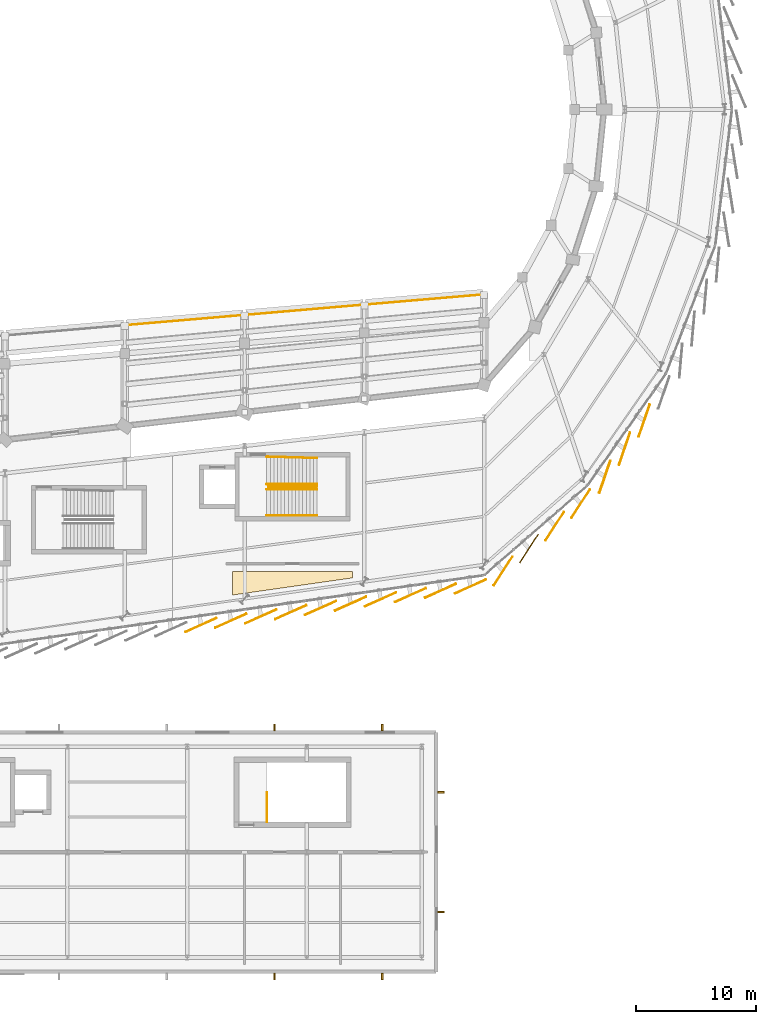
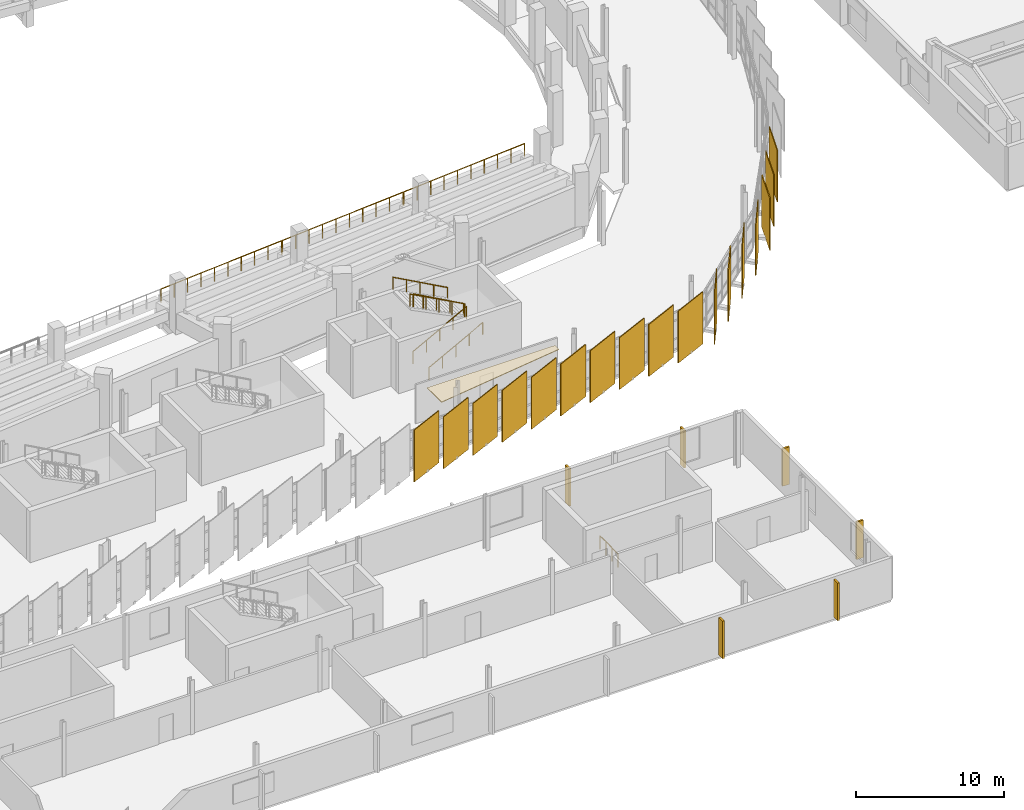
# One storey, part 116 of 120: 18 coverings, 9 railings, 6 shading devices.
"""IFC4 building model written with IfcOpenShell, lengths in metres."""

from ifc_helpers import new_model, si_unit, direction, frame, origin, origin_2d, place, context, subcontext, project, spatial, polyline, rectangle, circle, outline, extrude, material, layer, layer_set, type_object, element, save


model = new_model("IFC4")

# Units and contexts
model_context = context("Model", 3, precision=1e-05, world=origin(), true_north=direction((0.0, 1.0)))
body_context = subcontext(model_context, "Body", "Model", "MODEL_VIEW")
ifc_project = project(units=[si_unit("LENGTHUNIT", "METRE"), si_unit("AREAUNIT", "SQUARE_METRE"), si_unit("VOLUMEUNIT", "CUBIC_METRE"), si_unit("PLANEANGLEUNIT", "RADIAN"), si_unit("MASSUNIT", "GRAM", prefix="KILO")], contexts=[model_context])

# Site, building, storey
site_placement = place(None, origin())
site = spatial("IfcSite", under=ifc_project, at=site_placement, CompositionType="ELEMENT")
building_placement = place(site_placement, origin())
building = spatial("IfcBuilding", under=site, at=building_placement, Name="Sohan Crest Arena", CompositionType="ELEMENT")
storey_placement = place(building_placement, frame((0.0, 0.0, 13.5)))
storey = spatial("IfcBuildingStorey", under=building, at=storey_placement, Name="L03", CompositionType="ELEMENT", Elevation=13.5)

# Railings
ifc_material_1 = material(Name="Powder-coated wrought steel balustrade", Category="steel")
railing_type_1 = type_object("IfcRailingType", Name="ARC-GRD-01", PredefinedType="GUARDRAIL", material=ifc_material_1)
railing_1_placement = place(storey_placement, frame((154.030029296875, 46.5, 2.25)))
element("IfcRailing", 1, at=railing_1_placement, inside=storey, type_object=railing_type_1, Name="Stair well slot guard GRD-054", PredefinedType="GUARDRAIL", context=body_context, shape_type="SweptSolid", body=[
    extrude(circle(Radius=0.02392578125, at=origin_2d()), frame((0.0, 0.0, 1.076171875), z_axis=(-0.87313487534, 0.0, 0.487478706678), x_axis=(0.0, -1.0, 0.0)), (0.0, 0.0, 1.0), 4.615478515625),
    extrude(circle(Radius=0.02099609375, at=origin_2d()), origin(), (0.0, 0.0, 1.0), 1.052001953125),
    extrude(circle(Radius=0.02099609375, at=origin_2d()), frame((-1.007568359375, 0.0, 0.5625)), (0.0, 0.0, 1.0), 1.052001953125),
    extrude(circle(Radius=0.02099609375, at=origin_2d()), frame((-2.01513671875, 0.0, 1.125)), (0.0, 0.0, 1.0), 1.052001953125),
    extrude(circle(Radius=0.02099609375, at=origin_2d()), frame((-3.0224609375, 0.0, 1.6875)), (0.0, 0.0, 1.0), 1.052001953125),
    extrude(circle(Radius=0.02099609375, at=origin_2d()), frame((-4.030029296875, 0.0, 2.25)), (0.0, 0.0, 1.0), 1.052001953125),
])
railing_2_placement = place(storey_placement, frame((149.8701171875, 18.52001953125, 0.0)))
element("IfcRailing", 2, at=railing_2_placement, inside=storey, type_object=railing_type_1, Name="Top stair landing well guard GRD-065", PredefinedType="GUARDRAIL", context=body_context, shape_type="SweptSolid", body=[
    extrude(circle(Radius=0.02392578125, at=origin_2d()), frame((0.0, 0.0, 1.076171875), z_axis=(0.0, 1.0, 0.0), x_axis=(-1.0, 0.0, 0.0)), (0.0, 0.0, 1.0), 2.4599609375),
    extrude(circle(Radius=0.02099609375, at=origin_2d()), origin(), (0.0, 0.0, 1.0), 1.052001953125),
    extrude(circle(Radius=0.02099609375, at=origin_2d()), frame((0.0, 0.820068359375, 0.0)), (0.0, 0.0, 1.0), 1.052001953125),
    extrude(circle(Radius=0.02099609375, at=origin_2d()), frame((0.0, 1.639892578125, 0.0)), (0.0, 0.0, 1.0), 1.052001953125),
    extrude(circle(Radius=0.02099609375, at=origin_2d()), frame((0.0, 2.4599609375, 0.0)), (0.0, 0.0, 1.0), 1.052001953125),
])
ifc_material_2 = material(Name="Laminated glass and steel sightline guard", Category="steel")
railing_type_2 = type_object("IfcRailingType", Name="ARC-GRD-02", PredefinedType="GUARDRAIL", material=ifc_material_2)
railing_3_placement = place(storey_placement, frame((138.0400390625, 59.98193359375, 0.85009765625)))
element("IfcRailing", 3, at=railing_3_placement, inside=storey, type_object=railing_type_2, Name="Upper tier cantilevered sightline guard GRD-173", PredefinedType="GUARDRAIL", context=body_context, shape_type="SweptSolid", body=[
    extrude(circle(Radius=0.02392578125, at=origin_2d()), frame((0.0, 0.0, 1.1259765625), z_axis=(0.996339849936, 0.085480427173, 0.0), x_axis=(-0.085480427173, 0.996339849936, 0.0)), (0.0, 0.0, 1.0), 9.956298828125),
    extrude(circle(Radius=0.02099609375, at=origin_2d()), origin(), (0.0, 0.0, 1.0), 1.101806640625),
    extrude(circle(Radius=0.02099609375, at=origin_2d()), frame((1.102294921875, 0.094482421875, 0.0)), (0.0, 0.0, 1.0), 1.101806640625),
    extrude(circle(Radius=0.02099609375, at=origin_2d()), frame((2.204345703125, 0.189208984375, 0.0)), (0.0, 0.0, 1.0), 1.101806640625),
    extrude(circle(Radius=0.02099609375, at=origin_2d()), frame((3.306640625, 0.28369140625, 0.0)), (0.0, 0.0, 1.0), 1.101806640625),
    extrude(circle(Radius=0.02099609375, at=origin_2d()), frame((4.408935546875, 0.378173828125, 0.0)), (0.0, 0.0, 1.0), 1.101806640625),
    extrude(circle(Radius=0.02099609375, at=origin_2d()), frame((5.510986328125, 0.472900390625, 0.0)), (0.0, 0.0, 1.0), 1.101806640625),
    extrude(circle(Radius=0.02099609375, at=origin_2d()), frame((6.61328125, 0.5673828125, 0.0)), (0.0, 0.0, 1.0), 1.101806640625),
    extrude(circle(Radius=0.02099609375, at=origin_2d()), frame((7.715576171875, 0.661865234375, 0.0)), (0.0, 0.0, 1.0), 1.101806640625),
    extrude(circle(Radius=0.02099609375, at=origin_2d()), frame((8.817626953125, 0.756591796875, 0.0)), (0.0, 0.0, 1.0), 1.101806640625),
    extrude(circle(Radius=0.02099609375, at=origin_2d()), frame((9.919921875, 0.85107421875, 0.0)), (0.0, 0.0, 1.0), 1.101806640625),
])
railing_4_placement = place(storey_placement, frame((148.0400390625, 60.839111328125, 0.85009765625)))
element("IfcRailing", 4, at=railing_4_placement, inside=storey, type_object=railing_type_2, Name="Upper tier cantilevered sightline guard GRD-174", PredefinedType="GUARDRAIL", context=body_context, shape_type="SweptSolid", body=[
    extrude(circle(Radius=0.02392578125, at=origin_2d()), frame((0.0, 0.0, 1.1259765625), z_axis=(0.996341938042, 0.085456085206, 0.0), x_axis=(-0.085456085206, 0.996341938042, 0.0)), (0.0, 0.0, 1.0), 9.956298828125),
    extrude(circle(Radius=0.02099609375, at=origin_2d()), origin(), (0.0, 0.0, 1.0), 1.101806640625),
    extrude(circle(Radius=0.02099609375, at=origin_2d()), frame((1.102294921875, 0.094482421875, 0.0)), (0.0, 0.0, 1.0), 1.101806640625),
    extrude(circle(Radius=0.02099609375, at=origin_2d()), frame((2.204345703125, 0.18896484375, 0.0)), (0.0, 0.0, 1.0), 1.101806640625),
    extrude(circle(Radius=0.02099609375, at=origin_2d()), frame((3.306640625, 0.28369140625, 0.0)), (0.0, 0.0, 1.0), 1.101806640625),
    extrude(circle(Radius=0.02099609375, at=origin_2d()), frame((4.408935546875, 0.378173828125, 0.0)), (0.0, 0.0, 1.0), 1.101806640625),
    extrude(circle(Radius=0.02099609375, at=origin_2d()), frame((5.510986328125, 0.47265625, 0.0)), (0.0, 0.0, 1.0), 1.101806640625),
    extrude(circle(Radius=0.02099609375, at=origin_2d()), frame((6.61328125, 0.567138671875, 0.0)), (0.0, 0.0, 1.0), 1.101806640625),
    extrude(circle(Radius=0.02099609375, at=origin_2d()), frame((7.715576171875, 0.661865234375, 0.0)), (0.0, 0.0, 1.0), 1.101806640625),
    extrude(circle(Radius=0.02099609375, at=origin_2d()), frame((8.817626953125, 0.75634765625, 0.0)), (0.0, 0.0, 1.0), 1.101806640625),
    extrude(circle(Radius=0.02099609375, at=origin_2d()), frame((9.919921875, 0.850830078125, 0.0)), (0.0, 0.0, 1.0), 1.101806640625),
])
railing_5_placement = place(storey_placement, frame((158.0400390625, 61.696044921875, 0.85009765625)))
element("IfcRailing", 5, at=railing_5_placement, inside=storey, type_object=railing_type_2, Name="Upper tier cantilevered sightline guard GRD-175", PredefinedType="GUARDRAIL", context=body_context, shape_type="SweptSolid", body=[
    extrude(circle(Radius=0.02392578125, at=origin_2d()), frame((0.0, 0.0, 1.1259765625), z_axis=(0.996339849936, 0.085480427173, 0.0), x_axis=(-0.085480427173, 0.996339849936, 0.0)), (0.0, 0.0, 1.0), 9.956298828125),
    extrude(circle(Radius=0.02099609375, at=origin_2d()), origin(), (0.0, 0.0, 1.0), 1.101806640625),
    extrude(circle(Radius=0.02099609375, at=origin_2d()), frame((1.102294921875, 0.094482421875, 0.0)), (0.0, 0.0, 1.0), 1.101806640625),
    extrude(circle(Radius=0.02099609375, at=origin_2d()), frame((2.204345703125, 0.189208984375, 0.0)), (0.0, 0.0, 1.0), 1.101806640625),
    extrude(circle(Radius=0.02099609375, at=origin_2d()), frame((3.306640625, 0.28369140625, 0.0)), (0.0, 0.0, 1.0), 1.101806640625),
    extrude(circle(Radius=0.02099609375, at=origin_2d()), frame((4.408935546875, 0.378173828125, 0.0)), (0.0, 0.0, 1.0), 1.101806640625),
    extrude(circle(Radius=0.02099609375, at=origin_2d()), frame((5.510986328125, 0.472900390625, 0.0)), (0.0, 0.0, 1.0), 1.101806640625),
    extrude(circle(Radius=0.02099609375, at=origin_2d()), frame((6.61328125, 0.5673828125, 0.0)), (0.0, 0.0, 1.0), 1.101806640625),
    extrude(circle(Radius=0.02099609375, at=origin_2d()), frame((7.715576171875, 0.661865234375, 0.0)), (0.0, 0.0, 1.0), 1.101806640625),
    extrude(circle(Radius=0.02099609375, at=origin_2d()), frame((8.817626953125, 0.756591796875, 0.0)), (0.0, 0.0, 1.0), 1.101806640625),
    extrude(circle(Radius=0.02099609375, at=origin_2d()), frame((9.919921875, 0.85107421875, 0.0)), (0.0, 0.0, 1.0), 1.101806640625),
])
ifc_material_3 = material(Name="Brushed stainless steel stair handrail", Category="steel")
railing_type_3 = type_object("IfcRailingType", Name="ARC-HR-01", PredefinedType="HANDRAIL", material=ifc_material_3)
for number, where, name in (
    (6, (149.85009765625, 44.110107421875, 0.0), "Stair pitch handrail HR-181"),
    (7, (149.85009765625, 46.2900390625, 0.0), "Stair pitch handrail HR-182"),
):
    element("IfcRailing", number, at=place(storey_placement, frame(where)), inside=storey, type_object=railing_type_3, Name=name, PredefinedType="HANDRAIL", context=body_context, shape_type="SweptSolid", body=[
        extrude(circle(Radius=0.02392578125, at=origin_2d()), frame((0.0, 0.0, 0.97607421875), z_axis=(0.881477684796, 0.0, 0.472225678258), x_axis=(0.0, 1.0, 0.0)), (0.0, 0.0, 1.0), 4.7646484375),
        extrude(circle(Radius=0.02099609375, at=origin_2d()), origin(), (0.0, 0.0, 1.0), 0.951904296875),
        extrude(circle(Radius=0.02099609375, at=origin_2d()), frame((1.050048828125, 0.0, 0.5625)), (0.0, 0.0, 1.0), 0.951904296875),
        extrude(circle(Radius=0.02099609375, at=origin_2d()), frame((2.10009765625, 0.0, 1.125)), (0.0, 0.0, 1.0), 0.951904296875),
        extrude(circle(Radius=0.02099609375, at=origin_2d()), frame((3.14990234375, 0.0, 1.6875)), (0.0, 0.0, 1.0), 0.951904296875),
        extrude(circle(Radius=0.02099609375, at=origin_2d()), frame((4.199951171875, 0.0, 2.25)), (0.0, 0.0, 1.0), 0.951904296875),
    ])
railing_6_placement = place(storey_placement, frame((154.050048828125, 46.7099609375, 2.25)))
element("IfcRailing", 8, at=railing_6_placement, inside=storey, type_object=railing_type_3, Name="Stair pitch handrail HR-183", PredefinedType="HANDRAIL", context=body_context, shape_type="SweptSolid", body=[
    extrude(circle(Radius=0.02392578125, at=origin_2d()), frame((0.0, 0.0, 0.97607421875), z_axis=(-0.881477684796, 0.0, 0.472225678258), x_axis=(0.0, -1.0, 0.0)), (0.0, 0.0, 1.0), 4.7646484375),
    extrude(circle(Radius=0.02099609375, at=origin_2d()), origin(), (0.0, 0.0, 1.0), 0.951904296875),
    extrude(circle(Radius=0.02099609375, at=origin_2d()), frame((-1.050048828125, 0.0, 0.5625)), (0.0, 0.0, 1.0), 0.951904296875),
    extrude(circle(Radius=0.02099609375, at=origin_2d()), frame((-2.10009765625, 0.0, 1.125)), (0.0, 0.0, 1.0), 0.951904296875),
    extrude(circle(Radius=0.02099609375, at=origin_2d()), frame((-3.14990234375, 0.0, 1.6875)), (0.0, 0.0, 1.0), 0.951904296875),
    extrude(circle(Radius=0.02099609375, at=origin_2d()), frame((-4.199951171875, 0.0, 2.25)), (0.0, 0.0, 1.0), 0.951904296875),
])
railing_7_placement = place(storey_placement, frame((154.050048828125, 48.889892578125, 2.25)))
element("IfcRailing", 9, at=railing_7_placement, inside=storey, type_object=railing_type_3, Name="Stair pitch handrail HR-184", PredefinedType="HANDRAIL", context=body_context, shape_type="SweptSolid", body=[
    extrude(circle(Radius=0.02392578125, at=origin_2d()), frame((0.0, 0.0, 0.97607421875), z_axis=(-0.881197710057, 0.025201957411, 0.472075690047), x_axis=(-0.028587973606, -0.999591280357, 0.0)), (0.0, 0.0, 1.0), 4.76611328125),
    extrude(circle(Radius=0.02099609375, at=origin_2d()), origin(), (0.0, 0.0, 1.0), 0.951904296875),
    extrude(circle(Radius=0.02099609375, at=origin_2d()), frame((-1.050048828125, 0.030029296875, 0.5625)), (0.0, 0.0, 1.0), 0.951904296875),
    extrude(circle(Radius=0.02099609375, at=origin_2d()), frame((-2.10009765625, 0.06005859375, 1.125)), (0.0, 0.0, 1.0), 0.951904296875),
    extrude(circle(Radius=0.02099609375, at=origin_2d()), frame((-3.14990234375, 0.090087890625, 1.6875)), (0.0, 0.0, 1.0), 0.951904296875),
    extrude(circle(Radius=0.02099609375, at=origin_2d()), frame((-4.199951171875, 0.1201171875, 2.25)), (0.0, 0.0, 1.0), 0.951904296875),
])

# Shading devices
ifc_material_4 = material(Name="Glazed terracotta ceramic solar fin", Category="masonry")
ifc_layer_1 = layer(ifc_material_4, 0.070068359375, Name="Glazed terracotta ceramic solar fin")
ifc_layer_set_1 = layer_set([ifc_layer_1], Name="Glazed terracotta ceramic solar fin")
shading_device_type = type_object("IfcShadingDeviceType", Name="ARC-SHD-FIN1", PredefinedType="USERDEFINED", material=ifc_layer_set_1)
for number, where, z_axis, x_axis, name in (
    (10, (150.5, 5.60009765625, 0.199951171875), (0.0, 0.0, 1.0), (1.0, 0.0, 0.0), "Catalan terracotta facade fin FIN-107"),
    (11, (159.5, 5.60009765625, 0.199951171875), (0.0, 0.0, 1.0), (1.0, 0.0, 0.0), "Catalan terracotta facade fin FIN-108"),
    (12, (164.39990234375, 11.0, 0.199951171875), (0.0, 0.0, 1.0), (0.0, 1.0, 0.0), "Catalan terracotta facade fin FIN-113"),
    (13, (164.39990234375, 21.0, 0.199951171875), (0.0, 0.0, 1.0), (0.0, 1.0, 0.0), "Catalan terracotta facade fin FIN-114"),
    (14, (159.5, 26.39990234375, 0.199951171875), (0.0, 0.0, 1.0), (-1.0, 0.0, 0.0), "Catalan terracotta facade fin FIN-115"),
    (15, (150.5, 26.39990234375, 0.199951171875), (0.0, 0.0, 1.0), (-1.0, 0.0, 0.0), "Catalan terracotta facade fin FIN-116"),
):
    element("IfcShadingDevice", number, at=place(storey_placement, frame(where, z_axis=z_axis, x_axis=x_axis)), inside=storey, type_object=shading_device_type, Name=name, ObjectType="FIN", PredefinedType="USERDEFINED", context=body_context, shape_type="SweptSolid", body=[
        extrude(rectangle(XDim=0.139892578125, YDim=0.550048828125, at=origin_2d()), origin(), (0.0, 0.0, 1.0), 3.10009765625),
    ])

# Coverings
ifc_material_5 = material(Name="Acoustic mineral-fibre ceiling tile")
ifc_layer_2 = layer(ifc_material_5, 0.044921875, Name="Acoustic mineral-fibre ceiling tile")
ifc_layer_set_2 = layer_set([ifc_layer_2], Name="Acoustic mineral-fibre ceiling tile")
covering_type_1 = type_object("IfcCoveringType", Name="COV-CL1", PredefinedType="CEILING", material=ifc_layer_set_2)
covering_placement = place(storey_placement, frame((0.0, 0.0, 3.10009765625)))
element("IfcCovering", 16, at=covering_placement, inside=storey, type_object=covering_type_1, Name="Suspended acoustic ceiling CL-004", PredefinedType="CEILING", context=body_context, shape_type="SweptSolid", body=[
    extrude(outline(polyline([(147.80908203125, 37.5791015625), (147.0, 37.464111328125), (147.0, 39.425048828125), (157.0, 39.425048828125), (157.0, 38.89208984375), (147.80908203125, 37.5791015625)])), origin(), (0.0, 0.0, 1.0), 0.0498046875),
])
ifc_material_6 = material(Name="Glazed ivory trencadis ceramic cladding", Category="masonry")
ifc_layer_3 = layer(ifc_material_6, 0.06494140625, Name="Glazed ivory trencadis ceramic cladding")
ifc_layer_set_3 = layer_set([ifc_layer_3], Name="Glazed ivory trencadis ceramic cladding")
covering_type_2 = type_object("IfcCoveringType", Name="COV-SC-IV", PredefinedType="CLADDING", material=ifc_layer_set_3)
for number, where, z_axis, x_axis, name in (
    (17, (144.35791015625, 34.955078125, -0.2001953125), (0.0, 0.0, 1.0), (0.912834177233, 0.408330460381, 0.0), "Rotated trencadis ceramic scale panel SC-0329"),
    (18, (146.85791015625, 35.31201171875, -0.2001953125), (0.0, 0.0, 1.0), (0.912834177233, 0.408330460381, 0.0), "Rotated trencadis ceramic scale panel SC-0330"),
    (19, (149.35693359375, 35.6689453125, -0.2001953125), (0.0, 0.0, 1.0), (0.912834177233, 0.408330460381, 0.0), "Rotated trencadis ceramic scale panel SC-0331"),
    (20, (151.85693359375, 36.02587890625, -0.2001953125), (0.0, 0.0, 1.0), (0.912834177233, 0.408330460381, 0.0), "Rotated trencadis ceramic scale panel SC-0332"),
    (21, (154.35693359375, 36.383056640625, -0.2001953125), (0.0, 0.0, 1.0), (0.912834177233, 0.408330460381, 0.0), "Rotated trencadis ceramic scale panel SC-0333"),
    (22, (159.35791015625, 37.096923828125, -0.2001953125), (0.0, 0.0, 1.0), (0.912834177233, 0.408330460381, 0.0), "Rotated trencadis ceramic scale panel SC-0335"),
    (23, (161.85791015625, 37.455078125, -0.2001953125), (0.0, 0.0, 1.0), (0.912834177233, 0.408330460381, 0.0), "Rotated trencadis ceramic scale panel SC-0336"),
    (24, (166.85791015625, 38.1689453125, -0.2001953125), (0.0, 0.0, 1.0), (0.912834177233, 0.408330460381, 0.0), "Rotated trencadis ceramic scale panel SC-0338"),
    (25, (169.577880859375, 39.464111328125, -0.2001953125), (0.0, 0.0, 1.0), (0.544639035015, 0.838670567945, 0.0), "Rotated trencadis ceramic scale panel SC-0339"),
    (26, (173.89697265625, 43.214111328125, -0.2001953125), (0.0, 0.0, 1.0), (0.544639035015, 0.838670567945, 0.0), "Rotated trencadis ceramic scale panel SC-0341"),
    (27, (176.056884765625, 45.089111328125, -0.2001953125), (0.0, 0.0, 1.0), (0.544639035015, 0.838670567945, 0.0), "Rotated trencadis ceramic scale panel SC-0342"),
    (28, (179.721923828125, 49.676025390625, -0.2001953125), (0.0, 0.0, 1.0), (0.325568154457, 0.945518575599, 0.0), "Rotated trencadis ceramic scale panel SC-0344"),
    (29, (181.363037109375, 52.01806640625, -0.2001953125), (0.0, 0.0, 1.0), (0.325568154457, 0.945518575599, 0.0), "Rotated trencadis ceramic scale panel SC-0345"),
):
    element("IfcCovering", number, at=place(storey_placement, frame(where, z_axis=z_axis, x_axis=x_axis)), inside=storey, type_object=covering_type_2, Name=name, PredefinedType="CLADDING", context=body_context, shape_type="SweptSolid", body=[
        extrude(rectangle(XDim=2.85009765625, YDim=0.06494140625, at=origin_2d()), origin(), (0.0, 0.0, 1.0), 4.300048828125),
    ])
ifc_material_7 = material(Name="Glazed terracotta trencadis ceramic cladding", Category="masonry")
ifc_layer_4 = layer(ifc_material_7, 0.074951171875, Name="Glazed terracotta trencadis ceramic cladding")
ifc_layer_set_4 = layer_set([ifc_layer_4], Name="Glazed terracotta trencadis ceramic cladding")
covering_type_3 = type_object("IfcCoveringType", Name="COV-SC-TC", PredefinedType="CLADDING", material=ifc_layer_set_4)
for number, where, z_axis, x_axis, name in (
    (30, (156.85693359375, 36.739990234375, -0.2001953125), (0.0, 0.0, 1.0), (0.912834177233, 0.408330460381, 0.0), "Rotated trencadis ceramic scale panel SC-0334"),
    (31, (164.35791015625, 37.81201171875, -0.2001953125), (0.0, 0.0, 1.0), (0.912834177233, 0.408330460381, 0.0), "Rotated trencadis ceramic scale panel SC-0337"),
    (32, (171.738037109375, 41.339111328125, -0.2001953125), (0.0, 0.0, 1.0), (0.544639035015, 0.838670567945, 0.0), "Rotated trencadis ceramic scale panel SC-0340"),
    (33, (178.0810546875, 47.3349609375, -0.2001953125), (0.0, 0.0, 1.0), (0.325568154457, 0.945518575599, 0.0), "Rotated trencadis ceramic scale panel SC-0343"),
):
    element("IfcCovering", number, at=place(storey_placement, frame(where, z_axis=z_axis, x_axis=x_axis)), inside=storey, type_object=covering_type_3, Name=name, PredefinedType="CLADDING", context=body_context, shape_type="SweptSolid", body=[
        extrude(rectangle(XDim=2.85009765625, YDim=0.074951171875, at=origin_2d()), origin(), (0.0, 0.0, 1.0), 4.300048828125),
    ])

save(model, "model.ifc")
